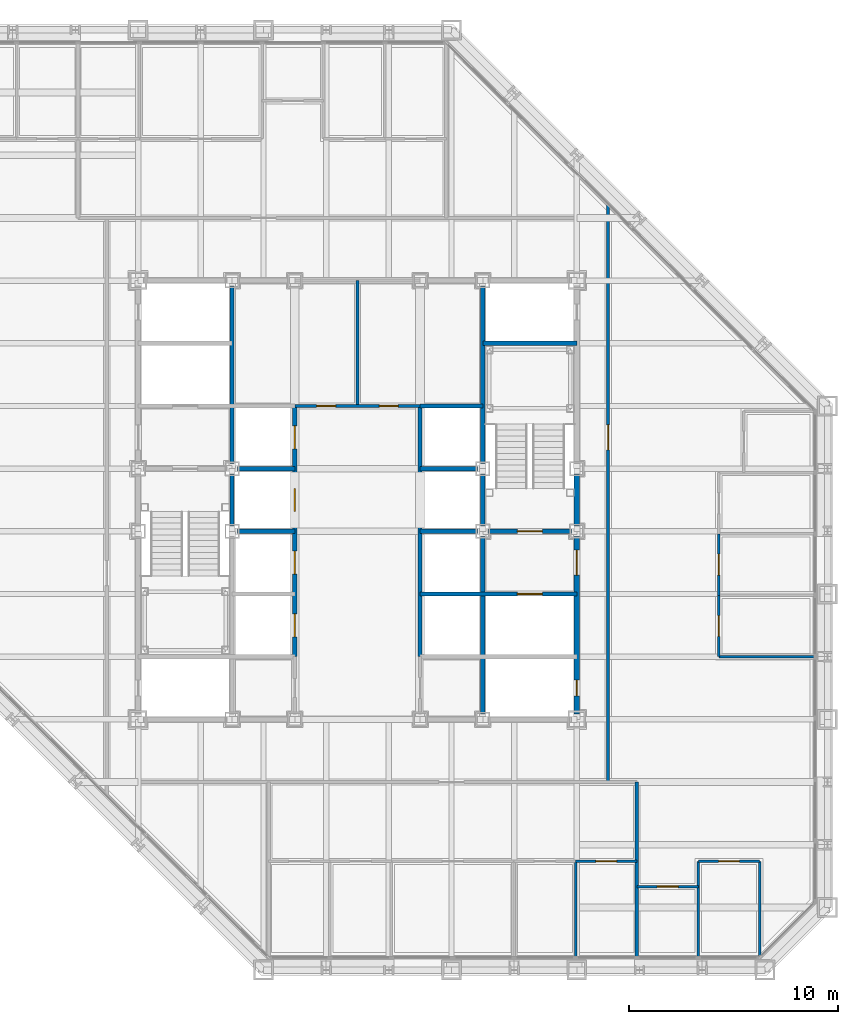
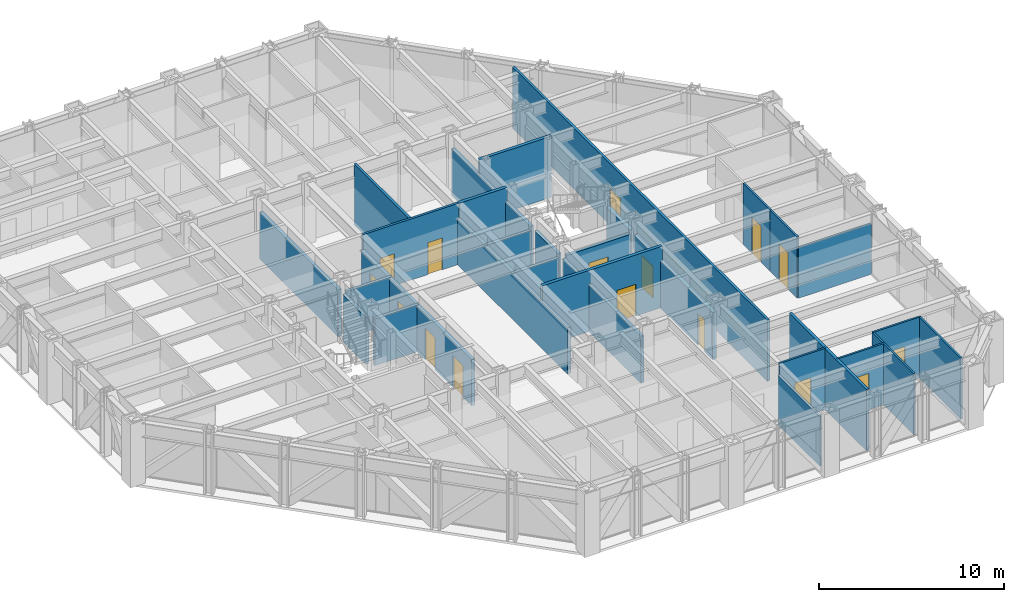
# One storey, part 11 of 16: 30 walls, 16 doors, 16 openings.
"""IFC4 building model written with IfcOpenShell, lengths in metres."""

from ifc_helpers import new_model, si_unit, direction, frame, frame_2d, origin, place, context, subcontext, project, spatial, rectangle, extrude, material, layer, layer_set, type_object, element, fill, save


model = new_model("IFC4")

# Units and contexts
model_context = context("Model", 3, precision=1e-05, world=origin(), true_north=direction((0.0, 1.0)))
body_context = subcontext(model_context, "Body", "Model", "MODEL_VIEW")
ifc_project = project(units=[si_unit("LENGTHUNIT", "METRE"), si_unit("AREAUNIT", "SQUARE_METRE"), si_unit("VOLUMEUNIT", "CUBIC_METRE"), si_unit("PLANEANGLEUNIT", "RADIAN"), si_unit("MASSUNIT", "GRAM", prefix="KILO")], contexts=[model_context])

# Site, building, storey
site_placement = place(None, origin())
site = spatial("IfcSite", under=ifc_project, at=site_placement, CompositionType="ELEMENT")
building_placement = place(site_placement, origin())
building = spatial("IfcBuilding", under=site, at=building_placement, Name="Chuquiago Exchange Tower", CompositionType="ELEMENT")
storey_placement = place(building_placement, frame((0.0, 0.0, 115.199951171875)))
storey = spatial("IfcBuildingStorey", under=building, at=storey_placement, Name="L24", CompositionType="ELEMENT", Elevation=115.199951171875)

# Wall, openings, doors
ifc_material_1 = material(Name="Concrete masonry, fully grouted", Category="masonry")
ifc_layer_1 = layer(ifc_material_1, 0.25)
ifc_layer_set_1 = layer_set([ifc_layer_1], Name="W1 core wall 250")
wall_type_1 = type_object("IfcWallType", Name="W1 core wall 250", PredefinedType="SOLIDWALL", material=ifc_layer_set_1)
wall_1_placement = place(storey_placement, frame((33.0, 12.25, 0.0), z_axis=(0.0, 0.0, 1.0), x_axis=(0.0, 1.0, 0.0)))
wall_1 = element("IfcWall", 1, at=wall_1_placement, inside=storey, type_object=wall_type_1, Name="CW-L24-25-0", PredefinedType="SOLIDWALL", context=body_context, shape_type="SweptSolid", body=[
    extrude(rectangle(XDim=8.5, YDim=0.25, at=frame_2d((4.25, 0.0))), origin(), (0.0, 0.0, 1.0), 3.113037109375),
])
opening_1_placement = place(wall_1_placement, frame((6.64990234375, 0.0, 0.0)))
opening_1 = element("IfcOpeningElement", 2, at=opening_1_placement, cuts=wall_1, Name="Opening L24-004", PredefinedType="OPENING", context=body_context, shape_type="SweptSolid", body=[
    extrude(rectangle(XDim=1.199951171875, YDim=2.10009765625, at=frame_2d((0.60009765625, 1.050048828125))), frame((0.0, 0.135009765625, 0.0), z_axis=(0.0, -1.0, 0.0), x_axis=(1.0, 0.0, 0.0)), (0.0, 0.0, 1.0), 0.27001953125),
])
opening_2_placement = place(wall_1_placement, frame((0.875, 0.0, 0.0)))
opening_2 = element("IfcOpeningElement", 3, at=opening_2_placement, cuts=wall_1, Name="Opening L24-009", PredefinedType="OPENING", context=body_context, shape_type="SweptSolid", body=[
    extrude(rectangle(XDim=0.75, YDim=2.10009765625, at=frame_2d((0.375, 1.050048828125))), frame((0.0, 0.135009765625, 0.0), z_axis=(0.0, -1.0, 0.0), x_axis=(1.0, 0.0, 0.0)), (0.0, 0.0, 1.0), 0.27001953125),
])
ifc_material_2 = material(Name="Steel door, painted", Category="steel")
door_type_1 = type_object("IfcDoorType", Name="D5 firefighting lobby door 1200x2100", OperationType="SINGLE_SWING_LEFT", PredefinedType="DOOR", material=ifc_material_2)
door_1_placement = place(opening_1_placement, origin())
door_1 = element("IfcDoor", 4, at=door_1_placement, inside=storey, type_object=door_type_1, Name="Firefighting lobby 2 door", OperationType="SINGLE_SWING_RIGHT", OverallHeight=2.10009765625, OverallWidth=1.199951171875, PredefinedType="DOOR", context=body_context, shape_type="SweptSolid", body=[
    extrude(rectangle(XDim=1.199951171875, YDim=2.10009765625, at=frame_2d((0.60009765625, 1.050048828125))), frame((0.0, 0.02490234375, 0.0), z_axis=(0.0, -1.0, 0.0), x_axis=(1.0, 0.0, 0.0)), (0.0, 0.0, 1.0), 0.050048828125),
])
fill(opening_1, door_1)
ifc_material_3 = material(Name="Steel door, painted", Category="steel")
door_type_2 = type_object("IfcDoorType", Name="D6 riser access door 750x2100", OperationType="SINGLE_SWING_LEFT", PredefinedType="DOOR", material=ifc_material_3)
door_2_placement = place(opening_2_placement, origin())
door_2 = element("IfcDoor", 5, at=door_2_placement, inside=storey, type_object=door_type_2, Name="Riser RE1 door", OperationType="SINGLE_SWING_LEFT", OverallHeight=2.10009765625, OverallWidth=0.75, PredefinedType="DOOR", context=body_context, shape_type="SweptSolid", body=[
    extrude(rectangle(XDim=0.75, YDim=2.10009765625, at=frame_2d((0.375, 1.050048828125))), frame((0.0, 0.02490234375, 0.0), z_axis=(0.0, -1.0, 0.0), x_axis=(1.0, 0.0, 0.0)), (0.0, 0.0, 1.0), 0.050048828125),
])
fill(opening_2, door_2)

# Wall
wall_2_placement = place(storey_placement, frame((33.0, 21.25, 0.0), z_axis=(0.0, 0.0, 1.0), x_axis=(0.0, 1.0, 0.0)))
element("IfcWall", 6, at=wall_2_placement, inside=storey, type_object=wall_type_1, Name="CW-L24-25-1", PredefinedType="SOLIDWALL", context=body_context, shape_type="SweptSolid", body=[
    extrude(rectangle(XDim=2.5, YDim=0.25, at=frame_2d((1.25, 0.0))), origin(), (0.0, 0.0, 1.0), 3.113037109375),
])

# Wall, opening, door
ifc_material_4 = material(Name="Gypsum board on steel studs, acoustic insulation", Category="steel")
ifc_layer_2 = layer(ifc_material_4, 0.14990234375)
ifc_layer_set_2 = layer_set([ifc_layer_2], Name="W11 corridor wall 150")
wall_type_2 = type_object("IfcWallType", Name="W11 corridor wall 150", PredefinedType="PARTITIONING", material=ifc_layer_set_2)
wall_3_placement = place(storey_placement, frame((34.5, 9.0, 0.0), z_axis=(0.0, 0.0, 1.0), x_axis=(0.0, 1.0, 0.0)))
wall_3 = element("IfcWall", 7, at=wall_3_placement, inside=storey, type_object=wall_type_2, Name="PW-L24-CE", PredefinedType="PARTITIONING", context=body_context, shape_type="SweptSolid", body=[
    extrude(rectangle(XDim=27.614501953125, YDim=0.14990234375, at=frame_2d((13.80712890625, 0.0))), origin(), (0.0, 0.0, 1.0), 4.0400390625),
])
opening_3_placement = place(wall_3_placement, frame((15.89990234375, 0.0, 0.0)))
opening_3 = element("IfcOpeningElement", 8, at=opening_3_placement, cuts=wall_3, Name="Opening L24-045", PredefinedType="OPENING", context=body_context, shape_type="SweptSolid", body=[
    extrude(rectangle(XDim=1.199951171875, YDim=2.39990234375, at=frame_2d((0.60009765625, 1.199951171875))), frame((0.0, 0.0849609375, 0.0), z_axis=(0.0, -1.0, 0.0), x_axis=(1.0, 0.0, 0.0)), (0.0, 0.0, 1.0), 0.169921875),
])
ifc_material_5 = material(Name="Timber door, laminate faced", Category="wood")
door_type_3 = type_object("IfcDoorType", Name="D13 suite entrance door 1200x2400", OperationType="SINGLE_SWING_LEFT", PredefinedType="DOOR", material=ifc_material_5)
door_3_placement = place(opening_3_placement, frame((1.199951171875, 0.0, 0.0), z_axis=(0.0, 0.0, 1.0), x_axis=(-1.0, 0.0, 0.0)))
door_3 = element("IfcDoor", 9, at=door_3_placement, inside=storey, type_object=door_type_3, Name="East suite entrance door", OperationType="SINGLE_SWING_LEFT", OverallHeight=2.39990234375, OverallWidth=1.199951171875, PredefinedType="DOOR", context=body_context, shape_type="SweptSolid", body=[
    extrude(rectangle(XDim=1.199951171875, YDim=2.39990234375, at=frame_2d((0.60009765625, 1.199951171875))), frame((0.0, 0.02490234375, 0.0), z_axis=(0.0, -1.0, 0.0), x_axis=(1.0, 0.0, 0.0)), (0.0, 0.0, 1.0), 0.050048828125),
])
fill(opening_3, door_3)

# Walls
ifc_material_6 = material(Name="Gypsum board on twin steel studs, acoustic insulation", Category="steel")
ifc_layer_3 = layer(ifc_material_6, 0.175048828125)
ifc_layer_set_3 = layer_set([ifc_layer_3], Name="W12 tenant demising wall 175")
wall_type_3 = type_object("IfcWallType", Name="W12 tenant demising wall 175", PredefinedType="PARTITIONING", material=ifc_layer_set_3)
wall_4_placement = place(storey_placement, frame((35.875732421875, 0.652587890625, 0.0), z_axis=(0.0, 0.0, 1.0), x_axis=(0.0, 1.0, 0.0)))
element("IfcWall", 10, at=wall_4_placement, inside=storey, type_object=wall_type_3, Name="PW-L24-DS03588", PredefinedType="PARTITIONING", context=body_context, shape_type="SweptSolid", body=[
    extrude(rectangle(XDim=8.347412109375, YDim=0.175048828125, at=frame_2d((4.173828125, 0.0))), origin(), (0.0, 0.0, 1.0), 4.0400390625),
])
ifc_material_7 = material(Name="Concrete masonry, fully grouted", Category="masonry")
ifc_layer_4 = layer(ifc_material_7, 0.199951171875)
ifc_layer_set_4 = layer_set([ifc_layer_4], Name="W2 shaft wall 200")
wall_type_4 = type_object("IfcWallType", Name="W2 shaft wall 200", PredefinedType="SOLIDWALL", material=ifc_layer_set_4)
for number, where, z_axis, x_axis, name in (
    (11, (16.75, 24.0, 0.0), (0.0, 0.0, 1.0), (1.0, 0.0, 0.0), "CW-L24-05-1"),
    (12, (25.5, 24.0, 0.0), (0.0, 0.0, 1.0), (1.0, 0.0, 0.0), "CW-L24-06-0"),
):
    element("IfcWall", number, at=place(storey_placement, frame(where, z_axis=z_axis, x_axis=x_axis)), inside=storey, type_object=wall_type_4, Name=name, PredefinedType="SOLIDWALL", context=body_context, shape_type="SweptSolid", body=[
        extrude(rectangle(XDim=2.75, YDim=0.199951171875, at=frame_2d((1.375, 0.0))), origin(), (0.0, 0.0, 1.0), 3.090087890625),
    ])
wall_5_placement = place(storey_placement, frame((25.5, 27.0, 0.0), z_axis=(0.0, 0.0, 1.0), x_axis=(1.0, 0.0, 0.0)))
element("IfcWall", 13, at=wall_5_placement, inside=storey, type_object=wall_type_4, Name="CW-L24-08-0", PredefinedType="SOLIDWALL", context=body_context, shape_type="SweptSolid", body=[
    extrude(rectangle(XDim=3.0, YDim=0.199951171875, at=frame_2d((1.5, 0.0))), origin(), (0.0, 0.0, 1.0), 4.0400390625),
])
wall_6_placement = place(storey_placement, frame((28.5, 30.0, 0.0), z_axis=(0.0, 0.0, 1.0), x_axis=(1.0, 0.0, 0.0)))
element("IfcWall", 14, at=wall_6_placement, inside=storey, type_object=wall_type_4, Name="CW-L24-10-0", PredefinedType="SOLIDWALL", context=body_context, shape_type="SweptSolid", body=[
    extrude(rectangle(XDim=4.5, YDim=0.199951171875, at=frame_2d((2.25, 0.0))), origin(), (0.0, 0.0, 1.0), 4.0400390625),
])
wall_7_placement = place(storey_placement, frame((16.5, 21.25, 0.0), z_axis=(0.0, 0.0, 1.0), x_axis=(0.0, 1.0, 0.0)))
element("IfcWall", 15, at=wall_7_placement, inside=storey, type_object=wall_type_4, Name="CW-L24-13-1", PredefinedType="SOLIDWALL", context=body_context, shape_type="SweptSolid", body=[
    extrude(rectangle(XDim=2.5, YDim=0.199951171875, at=frame_2d((1.25, 0.0))), origin(), (0.0, 0.0, 1.0), 3.113037109375),
])
wall_8_placement = place(storey_placement, frame((16.5, 24.25, 0.0), z_axis=(0.0, 0.0, 1.0), x_axis=(0.0, 1.0, 0.0)))
element("IfcWall", 16, at=wall_8_placement, inside=storey, type_object=wall_type_4, Name="CW-L24-13-2", PredefinedType="SOLIDWALL", context=body_context, shape_type="SweptSolid", body=[
    extrude(rectangle(XDim=8.5, YDim=0.199951171875, at=frame_2d((4.25, 0.0))), origin(), (0.0, 0.0, 1.0), 3.113037109375),
])

# Wall, opening, door
wall_9_placement = place(storey_placement, frame((25.5, 18.0, 0.0), z_axis=(0.0, 0.0, 1.0), x_axis=(1.0, 0.0, 0.0)))
wall_9 = element("IfcWall", 17, at=wall_9_placement, inside=storey, type_object=wall_type_4, Name="CW-L24-15-0", PredefinedType="SOLIDWALL", context=body_context, shape_type="SweptSolid", body=[
    extrude(rectangle(XDim=7.5, YDim=0.199951171875, at=frame_2d((3.75, 0.0))), origin(), (0.0, 0.0, 1.0), 4.0400390625),
])
opening_4_placement = place(wall_9_placement, frame((4.64990234375, 0.0, 0.0)))
opening_4 = element("IfcOpeningElement", 18, at=opening_4_placement, cuts=wall_9, Name="Opening L24-006", PredefinedType="OPENING", context=body_context, shape_type="SweptSolid", body=[
    extrude(rectangle(XDim=1.199951171875, YDim=2.10009765625, at=frame_2d((0.60009765625, 1.050048828125))), frame((0.0, 0.10986328125, 0.0), z_axis=(0.0, -1.0, 0.0), x_axis=(1.0, 0.0, 0.0)), (0.0, 0.0, 1.0), 0.219970703125),
])
ifc_material_8 = material(Name="Stainless steel lift landing door", Category="steel")
door_type_4 = type_object("IfcDoorType", Name="LD2 firefighting lift landing door 1200x2100", OperationType="DOUBLE_DOOR_SLIDING", PredefinedType="DOOR", material=ifc_material_8)
door_4_placement = place(opening_4_placement, origin())
door_4 = element("IfcDoor", 19, at=door_4_placement, inside=storey, type_object=door_type_4, Name="Firefighting lift FL2 landing door", OperationType="DOUBLE_DOOR_SLIDING", OverallHeight=2.10009765625, OverallWidth=1.199951171875, PredefinedType="DOOR", context=body_context, shape_type="SweptSolid", body=[
    extrude(rectangle(XDim=1.199951171875, YDim=2.10009765625, at=frame_2d((0.60009765625, 1.050048828125))), frame((0.0, 0.02490234375, 0.0), z_axis=(0.0, -1.0, 0.0), x_axis=(1.0, 0.0, 0.0)), (0.0, 0.0, 1.0), 0.050048828125),
])
fill(opening_4, door_4)

# Walls
for number, where, z_axis, x_axis, name in (
    (20, (16.75, 21.0, 0.0), (0.0, 0.0, 1.0), (1.0, 0.0, 0.0), "CW-L24-16-0"),
    (21, (25.5, 21.0, 0.0), (0.0, 0.0, 1.0), (1.0, 0.0, 0.0), "CW-L24-17-0"),
):
    element("IfcWall", number, at=place(storey_placement, frame(where, z_axis=z_axis, x_axis=x_axis)), inside=storey, type_object=wall_type_4, Name=name, PredefinedType="SOLIDWALL", context=body_context, shape_type="SweptSolid", body=[
        extrude(rectangle(XDim=2.75, YDim=0.199951171875, at=frame_2d((1.375, 0.0))), origin(), (0.0, 0.0, 1.0), 3.090087890625),
    ])

# Wall, opening, door
wall_10_placement = place(storey_placement, frame((28.75, 21.0, 0.0), z_axis=(0.0, 0.0, 1.0), x_axis=(1.0, 0.0, 0.0)))
wall_10 = element("IfcWall", 22, at=wall_10_placement, inside=storey, type_object=wall_type_4, Name="CW-L24-17-1", PredefinedType="SOLIDWALL", context=body_context, shape_type="SweptSolid", body=[
    extrude(rectangle(XDim=4.0, YDim=0.199951171875, at=frame_2d((2.0, 0.0))), origin(), (0.0, 0.0, 1.0), 3.090087890625),
])
opening_5_placement = place(wall_10_placement, frame((1.39990234375, 0.0, 0.0)))
opening_5 = element("IfcOpeningElement", 23, at=opening_5_placement, cuts=wall_10, Name="Opening L24-003", PredefinedType="OPENING", context=body_context, shape_type="SweptSolid", body=[
    extrude(rectangle(XDim=1.199951171875, YDim=2.10009765625, at=frame_2d((0.60009765625, 1.050048828125))), frame((0.0, 0.10986328125, 0.0), z_axis=(0.0, -1.0, 0.0), x_axis=(1.0, 0.0, 0.0)), (0.0, 0.0, 1.0), 0.219970703125),
])
ifc_material_9 = material(Name="Steel door, painted", Category="steel")
door_type_5 = type_object("IfcDoorType", Name="D4 stair door 1200x2100", OperationType="SINGLE_SWING_LEFT", PredefinedType="DOOR", material=ifc_material_9)
door_5_placement = place(opening_5_placement, origin())
door_5 = element("IfcDoor", 24, at=door_5_placement, inside=storey, type_object=door_type_5, Name="Stair ST2 door", OperationType="SINGLE_SWING_LEFT", OverallHeight=2.10009765625, OverallWidth=1.199951171875, PredefinedType="DOOR", context=body_context, shape_type="SweptSolid", body=[
    extrude(rectangle(XDim=1.199951171875, YDim=2.10009765625, at=frame_2d((0.60009765625, 1.050048828125))), frame((0.0, 0.02490234375, 0.0), z_axis=(0.0, -1.0, 0.0), x_axis=(1.0, 0.0, 0.0)), (0.0, 0.0, 1.0), 0.050048828125),
])
fill(opening_5, door_5)

# Wall, openings, doors
wall_11_placement = place(storey_placement, frame((19.5, 15.0, 0.0), z_axis=(0.0, 0.0, 1.0), x_axis=(0.0, 1.0, 0.0)))
wall_11 = element("IfcWall", 25, at=wall_11_placement, inside=storey, type_object=wall_type_4, Name="CW-L24-19-0", PredefinedType="SOLIDWALL", context=body_context, shape_type="SweptSolid", body=[
    extrude(rectangle(XDim=12.0, YDim=0.199951171875, at=frame_2d((6.0, 0.0))), origin(), (0.0, 0.0, 1.0), 3.064697265625),
])
opening_6_placement = place(wall_11_placement, frame((0.949951171875, 0.0, 0.0)))
opening_6 = element("IfcOpeningElement", 26, at=opening_6_placement, cuts=wall_11, Name="Opening L24-015", PredefinedType="OPENING", context=body_context, shape_type="SweptSolid", body=[
    extrude(rectangle(XDim=1.10009765625, YDim=2.10009765625, at=frame_2d((0.550048828125, 1.050048828125))), frame((0.0, 0.10986328125, 0.0), z_axis=(0.0, -1.0, 0.0), x_axis=(1.0, 0.0, 0.0)), (0.0, 0.0, 1.0), 0.219970703125),
])
opening_7_placement = place(wall_11_placement, frame((3.949951171875, 0.0, 0.0)))
opening_7 = element("IfcOpeningElement", 27, at=opening_7_placement, cuts=wall_11, Name="Opening L24-016", PredefinedType="OPENING", context=body_context, shape_type="SweptSolid", body=[
    extrude(rectangle(XDim=1.10009765625, YDim=2.10009765625, at=frame_2d((0.550048828125, 1.050048828125))), frame((0.0, 0.10986328125, 0.0), z_axis=(0.0, -1.0, 0.0), x_axis=(1.0, 0.0, 0.0)), (0.0, 0.0, 1.0), 0.219970703125),
])
opening_8_placement = place(wall_11_placement, frame((6.949951171875, 0.0, 0.0)))
opening_8 = element("IfcOpeningElement", 28, at=opening_8_placement, cuts=wall_11, Name="Opening L24-017", PredefinedType="OPENING", context=body_context, shape_type="SweptSolid", body=[
    extrude(rectangle(XDim=1.10009765625, YDim=2.10009765625, at=frame_2d((0.550048828125, 1.050048828125))), frame((0.0, 0.10986328125, 0.0), z_axis=(0.0, -1.0, 0.0), x_axis=(1.0, 0.0, 0.0)), (0.0, 0.0, 1.0), 0.219970703125),
])
opening_9_placement = place(wall_11_placement, frame((9.949951171875, 0.0, 0.0)))
opening_9 = element("IfcOpeningElement", 29, at=opening_9_placement, cuts=wall_11, Name="Opening L24-018", PredefinedType="OPENING", context=body_context, shape_type="SweptSolid", body=[
    extrude(rectangle(XDim=1.10009765625, YDim=2.10009765625, at=frame_2d((0.550048828125, 1.050048828125))), frame((0.0, 0.10986328125, 0.0), z_axis=(0.0, -1.0, 0.0), x_axis=(1.0, 0.0, 0.0)), (0.0, 0.0, 1.0), 0.219970703125),
])
ifc_material_10 = material(Name="Stainless steel lift landing door", Category="steel")
door_type_6 = type_object("IfcDoorType", Name="LD1 lift landing door 1100x2100", OperationType="DOUBLE_DOOR_SLIDING", PredefinedType="DOOR", material=ifc_material_10)
door_6_placement = place(opening_6_placement, origin())
door_6 = element("IfcDoor", 30, at=door_6_placement, inside=storey, type_object=door_type_6, Name="Lift LB1 landing door", OperationType="DOUBLE_DOOR_SLIDING", OverallHeight=2.10009765625, OverallWidth=1.10009765625, PredefinedType="DOOR", context=body_context, shape_type="SweptSolid", body=[
    extrude(rectangle(XDim=1.10009765625, YDim=2.10009765625, at=frame_2d((0.550048828125, 1.050048828125))), frame((0.0, 0.02490234375, 0.0), z_axis=(0.0, -1.0, 0.0), x_axis=(1.0, 0.0, 0.0)), (0.0, 0.0, 1.0), 0.050048828125),
])
fill(opening_6, door_6)
door_7_placement = place(opening_7_placement, origin())
door_7 = element("IfcDoor", 31, at=door_7_placement, inside=storey, type_object=door_type_6, Name="Lift LB2 landing door", OperationType="DOUBLE_DOOR_SLIDING", OverallHeight=2.10009765625, OverallWidth=1.10009765625, PredefinedType="DOOR", context=body_context, shape_type="SweptSolid", body=[
    extrude(rectangle(XDim=1.10009765625, YDim=2.10009765625, at=frame_2d((0.550048828125, 1.050048828125))), frame((0.0, 0.02490234375, 0.0), z_axis=(0.0, -1.0, 0.0), x_axis=(1.0, 0.0, 0.0)), (0.0, 0.0, 1.0), 0.050048828125),
])
fill(opening_7, door_7)
door_8_placement = place(opening_8_placement, origin())
door_8 = element("IfcDoor", 32, at=door_8_placement, inside=storey, type_object=door_type_6, Name="Lift LB3 landing door", OperationType="DOUBLE_DOOR_SLIDING", OverallHeight=2.10009765625, OverallWidth=1.10009765625, PredefinedType="DOOR", context=body_context, shape_type="SweptSolid", body=[
    extrude(rectangle(XDim=1.10009765625, YDim=2.10009765625, at=frame_2d((0.550048828125, 1.050048828125))), frame((0.0, 0.02490234375, 0.0), z_axis=(0.0, -1.0, 0.0), x_axis=(1.0, 0.0, 0.0)), (0.0, 0.0, 1.0), 0.050048828125),
])
fill(opening_8, door_8)
door_9_placement = place(opening_9_placement, origin())
door_9 = element("IfcDoor", 33, at=door_9_placement, inside=storey, type_object=door_type_6, Name="Lift LB4 landing door", OperationType="DOUBLE_DOOR_SLIDING", OverallHeight=2.10009765625, OverallWidth=1.10009765625, PredefinedType="DOOR", context=body_context, shape_type="SweptSolid", body=[
    extrude(rectangle(XDim=1.10009765625, YDim=2.10009765625, at=frame_2d((0.550048828125, 1.050048828125))), frame((0.0, 0.02490234375, 0.0), z_axis=(0.0, -1.0, 0.0), x_axis=(1.0, 0.0, 0.0)), (0.0, 0.0, 1.0), 0.050048828125),
])
fill(opening_9, door_9)

# Walls
wall_12_placement = place(storey_placement, frame((25.5, 15.0, 0.0), z_axis=(0.0, 0.0, 1.0), x_axis=(0.0, 1.0, 0.0)))
element("IfcWall", 34, at=wall_12_placement, inside=storey, type_object=wall_type_4, Name="CW-L24-22-0", PredefinedType="SOLIDWALL", context=body_context, shape_type="SweptSolid", body=[
    extrude(rectangle(XDim=12.0, YDim=0.199951171875, at=frame_2d((6.0, 0.0))), origin(), (0.0, 0.0, 1.0), 3.064697265625),
])
wall_13_placement = place(storey_placement, frame((28.5, 12.25, 0.0), z_axis=(0.0, 0.0, 1.0), x_axis=(0.0, 1.0, 0.0)))
element("IfcWall", 35, at=wall_13_placement, inside=storey, type_object=wall_type_4, Name="CW-L24-24-0", PredefinedType="SOLIDWALL", context=body_context, shape_type="SweptSolid", body=[
    extrude(rectangle(XDim=8.5, YDim=0.199951171875, at=frame_2d((4.25, 0.0))), origin(), (0.0, 0.0, 1.0), 3.113037109375),
])
wall_14_placement = place(storey_placement, frame((28.5, 21.25, 0.0), z_axis=(0.0, 0.0, 1.0), x_axis=(0.0, 1.0, 0.0)))
element("IfcWall", 36, at=wall_14_placement, inside=storey, type_object=wall_type_4, Name="CW-L24-24-1", PredefinedType="SOLIDWALL", context=body_context, shape_type="SweptSolid", body=[
    extrude(rectangle(XDim=2.5, YDim=0.199951171875, at=frame_2d((1.25, 0.0))), origin(), (0.0, 0.0, 1.0), 3.113037109375),
])
wall_15_placement = place(storey_placement, frame((28.5, 24.25, 0.0), z_axis=(0.0, 0.0, 1.0), x_axis=(0.0, 1.0, 0.0)))
element("IfcWall", 37, at=wall_15_placement, inside=storey, type_object=wall_type_4, Name="CW-L24-24-2", PredefinedType="SOLIDWALL", context=body_context, shape_type="SweptSolid", body=[
    extrude(rectangle(XDim=8.5, YDim=0.199951171875, at=frame_2d((4.25, 0.0))), origin(), (0.0, 0.0, 1.0), 3.113037109375),
])

# Wall, openings, doors
ifc_material_11 = material(Name="Gypsum board on steel studs", Category="steel")
ifc_layer_5 = layer(ifc_material_11, 0.14990234375)
ifc_layer_set_5 = layer_set([ifc_layer_5], Name="W3 core partition 150")
wall_type_5 = type_object("IfcWallType", Name="W3 core partition 150", PredefinedType="PARTITIONING", material=ifc_layer_set_5)
wall_16_placement = place(storey_placement, frame((19.5, 27.0, 0.0), z_axis=(0.0, 0.0, 1.0), x_axis=(1.0, 0.0, 0.0)))
wall_16 = element("IfcWall", 38, at=wall_16_placement, inside=storey, type_object=wall_type_5, Name="CW-L24-TF", PredefinedType="PARTITIONING", context=body_context, shape_type="SweptSolid", body=[
    extrude(rectangle(XDim=6.0, YDim=0.14990234375, at=frame_2d((3.0, 0.0))), origin(), (0.0, 0.0, 1.0), 4.0400390625),
])
opening_10_placement = place(wall_16_placement, frame((1.050048828125, 0.0, 0.0)))
opening_10 = element("IfcOpeningElement", 39, at=opening_10_placement, cuts=wall_16, Name="Opening L24-011", PredefinedType="OPENING", context=body_context, shape_type="SweptSolid", body=[
    extrude(rectangle(XDim=0.89990234375, YDim=2.10009765625, at=frame_2d((0.449951171875, 1.050048828125))), frame((0.0, 0.0849609375, 0.0), z_axis=(0.0, -1.0, 0.0), x_axis=(1.0, 0.0, 0.0)), (0.0, 0.0, 1.0), 0.169921875),
])
opening_11_placement = place(wall_16_placement, frame((4.050048828125, 0.0, 0.0)))
opening_11 = element("IfcOpeningElement", 40, at=opening_11_placement, cuts=wall_16, Name="Opening L24-012", PredefinedType="OPENING", context=body_context, shape_type="SweptSolid", body=[
    extrude(rectangle(XDim=0.89990234375, YDim=2.10009765625, at=frame_2d((0.449951171875, 1.050048828125))), frame((0.0, 0.0849609375, 0.0), z_axis=(0.0, -1.0, 0.0), x_axis=(1.0, 0.0, 0.0)), (0.0, 0.0, 1.0), 0.169921875),
])
ifc_material_12 = material(Name="Timber door, laminate faced", Category="wood")
door_type_7 = type_object("IfcDoorType", Name="D7 toilet door 900x2100", OperationType="SINGLE_SWING_LEFT", PredefinedType="DOOR", material=ifc_material_12)
door_10_placement = place(opening_10_placement, origin())
door_10 = element("IfcDoor", 41, at=door_10_placement, inside=storey, type_object=door_type_7, Name="Male WC door", OperationType="SINGLE_SWING_RIGHT", OverallHeight=2.10009765625, OverallWidth=0.89990234375, PredefinedType="DOOR", context=body_context, shape_type="SweptSolid", body=[
    extrude(rectangle(XDim=0.89990234375, YDim=2.10009765625, at=frame_2d((0.449951171875, 1.050048828125))), frame((0.0, 0.02490234375, 0.0), z_axis=(0.0, -1.0, 0.0), x_axis=(1.0, 0.0, 0.0)), (0.0, 0.0, 1.0), 0.050048828125),
])
fill(opening_10, door_10)
door_11_placement = place(opening_11_placement, origin())
door_11 = element("IfcDoor", 42, at=door_11_placement, inside=storey, type_object=door_type_7, Name="Female WC door", OperationType="SINGLE_SWING_LEFT", OverallHeight=2.10009765625, OverallWidth=0.89990234375, PredefinedType="DOOR", context=body_context, shape_type="SweptSolid", body=[
    extrude(rectangle(XDim=0.89990234375, YDim=2.10009765625, at=frame_2d((0.449951171875, 1.050048828125))), frame((0.0, 0.02490234375, 0.0), z_axis=(0.0, -1.0, 0.0), x_axis=(1.0, 0.0, 0.0)), (0.0, 0.0, 1.0), 0.050048828125),
])
fill(opening_11, door_11)

# Walls
wall_17_placement = place(storey_placement, frame((22.5, 27.0, 0.0), z_axis=(0.0, 0.0, 1.0), x_axis=(0.0, 1.0, 0.0)))
element("IfcWall", 43, at=wall_17_placement, inside=storey, type_object=wall_type_5, Name="CW-L24-TM", PredefinedType="PARTITIONING", context=body_context, shape_type="SweptSolid", body=[
    extrude(rectangle(XDim=6.0, YDim=0.14990234375, at=frame_2d((3.0, 0.0))), origin(), (0.0, 0.0, 1.0), 4.0400390625),
])
ifc_material_13 = material(Name="Gypsum board on steel studs", Category="steel")
ifc_layer_6 = layer(ifc_material_13, 0.1201171875)
ifc_layer_set_6 = layer_set([ifc_layer_6], Name="W4 partition 120")
wall_type_6 = type_object("IfcWallType", Name="W4 partition 120", PredefinedType="PARTITIONING", material=ifc_layer_set_6)
wall_18_placement = place(storey_placement, frame((32.93798828125, 0.652587890625, 0.0), z_axis=(0.0, 0.0, 1.0), x_axis=(0.0, 1.0, 0.0)))
element("IfcWall", 44, at=wall_18_placement, inside=storey, type_object=wall_type_6, Name="PW-L24-S03294", PredefinedType="PARTITIONING", context=body_context, shape_type="SweptSolid", body=[
    extrude(rectangle(XDim=4.54736328125, YDim=0.1201171875, at=frame_2d((2.273681640625, 0.0))), origin(), (0.0, 0.0, 1.0), 3.2705078125),
])
wall_19_placement = place(storey_placement, frame((38.813720703125, 0.652587890625, 0.0), z_axis=(0.0, 0.0, 1.0), x_axis=(0.0, 1.0, 0.0)))
element("IfcWall", 45, at=wall_19_placement, inside=storey, type_object=wall_type_6, Name="PW-L24-S03881", PredefinedType="PARTITIONING", context=body_context, shape_type="SweptSolid", body=[
    extrude(rectangle(XDim=4.54736328125, YDim=0.1201171875, at=frame_2d((2.273681640625, 0.0))), origin(), (0.0, 0.0, 1.0), 4.0400390625),
])
wall_20_placement = place(storey_placement, frame((41.75146484375, 0.666015625, 0.0), z_axis=(0.0, 0.0, 1.0), x_axis=(0.0, 1.0, 0.0)))
element("IfcWall", 46, at=wall_20_placement, inside=storey, type_object=wall_type_6, Name="PW-L24-S04175", PredefinedType="PARTITIONING", context=body_context, shape_type="SweptSolid", body=[
    extrude(rectangle(XDim=4.533935546875, YDim=0.1201171875, at=frame_2d((2.26708984375, 0.0))), origin(), (0.0, 0.0, 1.0), 4.0400390625),
])

# Wall, opening, door
wall_21_placement = place(storey_placement, frame((32.93798828125, 5.199951171875, 0.0), z_axis=(0.0, 0.0, 1.0), x_axis=(1.0, 0.0, 0.0)))
wall_21 = element("IfcWall", 47, at=wall_21_placement, inside=storey, type_object=wall_type_6, Name="PW-L24-SF03294", PredefinedType="PARTITIONING", context=body_context, shape_type="SweptSolid", body=[
    extrude(rectangle(XDim=2.937744140625, YDim=0.1201171875, at=frame_2d((1.46875, 0.0))), origin(), (0.0, 0.0, 1.0), 4.0400390625),
])
opening_12_placement = place(wall_21_placement, frame((0.968994140625, 0.0, 0.0)))
opening_12 = element("IfcOpeningElement", 48, at=opening_12_placement, cuts=wall_21, Name="Opening L24-023", PredefinedType="OPENING", context=body_context, shape_type="SweptSolid", body=[
    extrude(rectangle(XDim=1.0, YDim=2.39990234375, at=frame_2d((0.5, 1.199951171875))), frame((0.0, 0.070068359375, 0.0), z_axis=(0.0, -1.0, 0.0), x_axis=(1.0, 0.0, 0.0)), (0.0, 0.0, 1.0), 0.14013671875),
])
ifc_material_14 = material(Name="Timber door, laminate faced", Category="wood")
door_type_8 = type_object("IfcDoorType", Name="D9 room door 1000x2400", OperationType="SINGLE_SWING_LEFT", PredefinedType="DOOR", material=ifc_material_14)
door_12_placement = place(opening_12_placement, frame((1.0, 0.0, 0.0), z_axis=(0.0, 0.0, 1.0), x_axis=(-1.0, 0.0, 0.0)))
door_12 = element("IfcDoor", 49, at=door_12_placement, inside=storey, type_object=door_type_8, Name="Office door", OperationType="SINGLE_SWING_LEFT", OverallHeight=2.39990234375, OverallWidth=1.0, PredefinedType="DOOR", context=body_context, shape_type="SweptSolid", body=[
    extrude(rectangle(XDim=1.0, YDim=2.39990234375, at=frame_2d((0.5, 1.199951171875))), frame((0.0, 0.02490234375, 0.0), z_axis=(0.0, -1.0, 0.0), x_axis=(1.0, 0.0, 0.0)), (0.0, 0.0, 1.0), 0.050048828125),
])
fill(opening_12, door_12)

wall_22_placement = place(storey_placement, frame((35.875732421875, 4.0, 0.0), z_axis=(0.0, 0.0, 1.0), x_axis=(1.0, 0.0, 0.0)))
wall_22 = element("IfcWall", 50, at=wall_22_placement, inside=storey, type_object=wall_type_6, Name="PW-L24-SF03588", PredefinedType="PARTITIONING", context=body_context, shape_type="SweptSolid", body=[
    extrude(rectangle(XDim=2.93798828125, YDim=0.1201171875, at=frame_2d((1.468994140625, 0.0))), origin(), (0.0, 0.0, 1.0), 4.0400390625),
])
opening_13_placement = place(wall_22_placement, frame((0.968994140625, 0.0, 0.0)))
opening_13 = element("IfcOpeningElement", 51, at=opening_13_placement, cuts=wall_22, Name="Opening L24-024", PredefinedType="OPENING", context=body_context, shape_type="SweptSolid", body=[
    extrude(rectangle(XDim=1.0, YDim=2.39990234375, at=frame_2d((0.5, 1.199951171875))), frame((0.0, 0.070068359375, 0.0), z_axis=(0.0, -1.0, 0.0), x_axis=(1.0, 0.0, 0.0)), (0.0, 0.0, 1.0), 0.14013671875),
])
door_13_placement = place(opening_13_placement, frame((1.0, 0.0, 0.0), z_axis=(0.0, 0.0, 1.0), x_axis=(-1.0, 0.0, 0.0)))
door_13 = element("IfcDoor", 52, at=door_13_placement, inside=storey, type_object=door_type_8, Name="Pantry door", OperationType="SINGLE_SWING_RIGHT", OverallHeight=2.39990234375, OverallWidth=1.0, PredefinedType="DOOR", context=body_context, shape_type="SweptSolid", body=[
    extrude(rectangle(XDim=1.0, YDim=2.39990234375, at=frame_2d((0.5, 1.199951171875))), frame((0.0, 0.02490234375, 0.0), z_axis=(0.0, -1.0, 0.0), x_axis=(1.0, 0.0, 0.0)), (0.0, 0.0, 1.0), 0.050048828125),
])
fill(opening_13, door_13)

wall_23_placement = place(storey_placement, frame((38.813720703125, 5.199951171875, 0.0), z_axis=(0.0, 0.0, 1.0), x_axis=(1.0, 0.0, 0.0)))
wall_23 = element("IfcWall", 53, at=wall_23_placement, inside=storey, type_object=wall_type_6, Name="PW-L24-SF03881", PredefinedType="PARTITIONING", context=body_context, shape_type="SweptSolid", body=[
    extrude(rectangle(XDim=2.937744140625, YDim=0.1201171875, at=frame_2d((1.46875, 0.0))), origin(), (0.0, 0.0, 1.0), 4.0400390625),
])
opening_14_placement = place(wall_23_placement, frame((0.968994140625, 0.0, 0.0)))
opening_14 = element("IfcOpeningElement", 54, at=opening_14_placement, cuts=wall_23, Name="Opening L24-025", PredefinedType="OPENING", context=body_context, shape_type="SweptSolid", body=[
    extrude(rectangle(XDim=1.0, YDim=2.39990234375, at=frame_2d((0.5, 1.199951171875))), frame((0.0, 0.070068359375, 0.0), z_axis=(0.0, -1.0, 0.0), x_axis=(1.0, 0.0, 0.0)), (0.0, 0.0, 1.0), 0.14013671875),
])
door_14_placement = place(opening_14_placement, frame((1.0, 0.0, 0.0), z_axis=(0.0, 0.0, 1.0), x_axis=(-1.0, 0.0, 0.0)))
door_14 = element("IfcDoor", 55, at=door_14_placement, inside=storey, type_object=door_type_8, Name="Office door", OperationType="SINGLE_SWING_RIGHT", OverallHeight=2.39990234375, OverallWidth=1.0, PredefinedType="DOOR", context=body_context, shape_type="SweptSolid", body=[
    extrude(rectangle(XDim=1.0, YDim=2.39990234375, at=frame_2d((0.5, 1.199951171875))), frame((0.0, 0.02490234375, 0.0), z_axis=(0.0, -1.0, 0.0), x_axis=(1.0, 0.0, 0.0)), (0.0, 0.0, 1.0), 0.050048828125),
])
fill(opening_14, door_14)

# Wall
wall_24_placement = place(storey_placement, frame((44.347412109375, 15.0, 0.0), z_axis=(0.0, 0.0, 1.0), x_axis=(-1.0, 0.0, 0.0)))
element("IfcWall", 56, at=wall_24_placement, inside=storey, type_object=wall_type_6, Name="PW-L24-E01500", PredefinedType="PARTITIONING", context=body_context, shape_type="SweptSolid", body=[
    extrude(rectangle(XDim=4.54736328125, YDim=0.1201171875, at=frame_2d((2.273681640625, 0.0))), origin(), (0.0, 0.0, 1.0), 3.35693359375),
])

# Wall, opening, door
wall_25_placement = place(storey_placement, frame((39.800048828125, 15.0, 0.0), z_axis=(0.0, 0.0, 1.0), x_axis=(0.0, 1.0, 0.0)))
wall_25 = element("IfcWall", 57, at=wall_25_placement, inside=storey, type_object=wall_type_6, Name="PW-L24-EF01500", PredefinedType="PARTITIONING", context=body_context, shape_type="SweptSolid", body=[
    extrude(rectangle(XDim=2.93798828125, YDim=0.1201171875, at=frame_2d((1.468994140625, 0.0))), origin(), (0.0, 0.0, 1.0), 4.0400390625),
])
opening_15_placement = place(wall_25_placement, frame((0.968994140625, 0.0, 0.0)))
opening_15 = element("IfcOpeningElement", 58, at=opening_15_placement, cuts=wall_25, Name="Opening L24-026", PredefinedType="OPENING", context=body_context, shape_type="SweptSolid", body=[
    extrude(rectangle(XDim=1.0, YDim=2.39990234375, at=frame_2d((0.5, 1.199951171875))), frame((0.0, 0.070068359375, 0.0), z_axis=(0.0, -1.0, 0.0), x_axis=(1.0, 0.0, 0.0)), (0.0, 0.0, 1.0), 0.14013671875),
])
door_15_placement = place(opening_15_placement, frame((1.0, 0.0, 0.0), z_axis=(0.0, 0.0, 1.0), x_axis=(-1.0, 0.0, 0.0)))
door_15 = element("IfcDoor", 59, at=door_15_placement, inside=storey, type_object=door_type_8, Name="Office door", OperationType="SINGLE_SWING_RIGHT", OverallHeight=2.39990234375, OverallWidth=1.0, PredefinedType="DOOR", context=body_context, shape_type="SweptSolid", body=[
    extrude(rectangle(XDim=1.0, YDim=2.39990234375, at=frame_2d((0.5, 1.199951171875))), frame((0.0, 0.02490234375, 0.0), z_axis=(0.0, -1.0, 0.0), x_axis=(1.0, 0.0, 0.0)), (0.0, 0.0, 1.0), 0.050048828125),
])
fill(opening_15, door_15)

wall_26_placement = place(storey_placement, frame((39.800048828125, 17.93798828125, 0.0), z_axis=(0.0, 0.0, 1.0), x_axis=(0.0, 1.0, 0.0)))
wall_26 = element("IfcWall", 60, at=wall_26_placement, inside=storey, type_object=wall_type_6, Name="PW-L24-EF01794", PredefinedType="PARTITIONING", context=body_context, shape_type="SweptSolid", body=[
    extrude(rectangle(XDim=2.937744140625, YDim=0.1201171875, at=frame_2d((1.46875, 0.0))), origin(), (0.0, 0.0, 1.0), 4.0400390625),
])
opening_16_placement = place(wall_26_placement, frame((0.968994140625, 0.0, 0.0)))
opening_16 = element("IfcOpeningElement", 61, at=opening_16_placement, cuts=wall_26, Name="Opening L24-027", PredefinedType="OPENING", context=body_context, shape_type="SweptSolid", body=[
    extrude(rectangle(XDim=1.0, YDim=2.39990234375, at=frame_2d((0.5, 1.199951171875))), frame((0.0, 0.070068359375, 0.0), z_axis=(0.0, -1.0, 0.0), x_axis=(1.0, 0.0, 0.0)), (0.0, 0.0, 1.0), 0.14013671875),
])
door_16_placement = place(opening_16_placement, frame((1.0, 0.0, 0.0), z_axis=(0.0, 0.0, 1.0), x_axis=(-1.0, 0.0, 0.0)))
door_16 = element("IfcDoor", 62, at=door_16_placement, inside=storey, type_object=door_type_8, Name="Office door", OperationType="SINGLE_SWING_LEFT", OverallHeight=2.39990234375, OverallWidth=1.0, PredefinedType="DOOR", context=body_context, shape_type="SweptSolid", body=[
    extrude(rectangle(XDim=1.0, YDim=2.39990234375, at=frame_2d((0.5, 1.199951171875))), frame((0.0, 0.02490234375, 0.0), z_axis=(0.0, -1.0, 0.0), x_axis=(1.0, 0.0, 0.0)), (0.0, 0.0, 1.0), 0.050048828125),
])
fill(opening_16, door_16)

save(model, "model.ifc")
